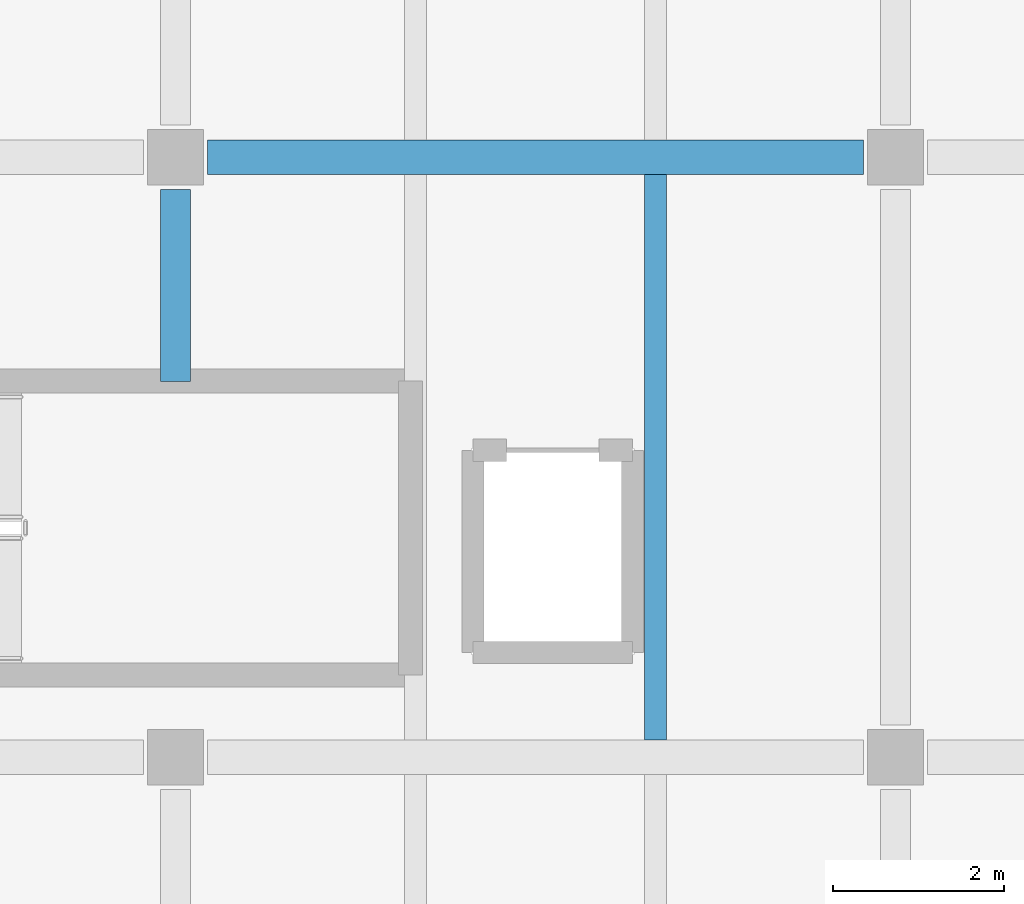
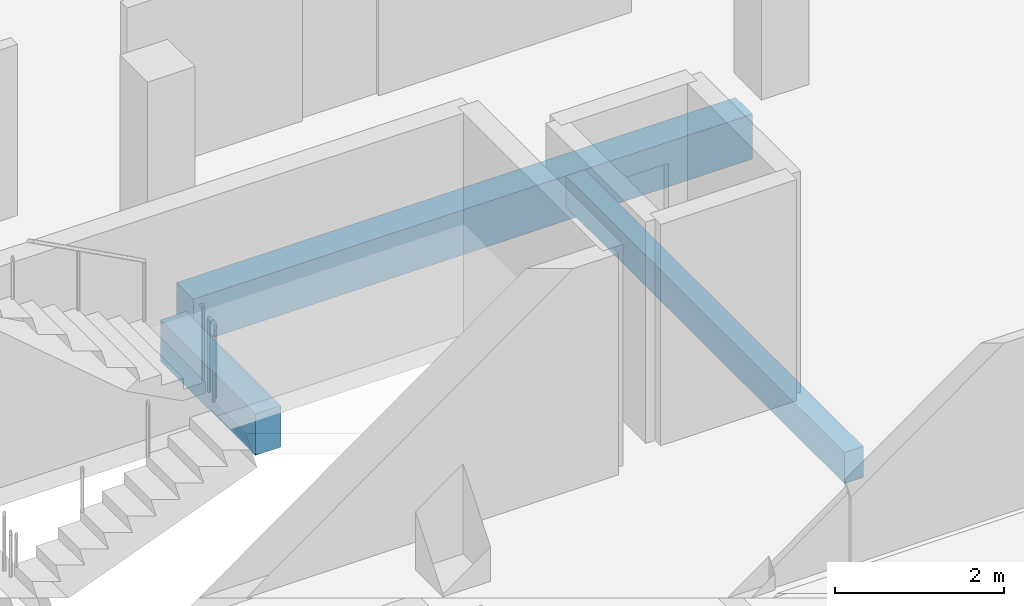
# One storey, part 5 of 33: 3 beams.
"""IFC4 building model written with IfcOpenShell, lengths in metres."""

from ifc_helpers import new_model, si_unit, direction, frame, origin, origin_2d, place, context, subcontext, project, spatial, rectangle, extrude, material, material_profile, profile_set, type_object, element, save


model = new_model("IFC4")

# Units and contexts
model_context = context("Model", 3, precision=1e-05, world=origin(), true_north=direction((0.0, 1.0)))
body_context = subcontext(model_context, "Body", "Model", "MODEL_VIEW")
ifc_project = project(units=[si_unit("LENGTHUNIT", "METRE"), si_unit("AREAUNIT", "SQUARE_METRE"), si_unit("VOLUMEUNIT", "CUBIC_METRE"), si_unit("PLANEANGLEUNIT", "RADIAN"), si_unit("MASSUNIT", "GRAM", prefix="KILO"), si_unit("THERMODYNAMICTEMPERATUREUNIT", "KELVIN"), si_unit("POWERUNIT", "WATT")], contexts=[model_context])

# Site, building, storey
site_placement = place(None, origin())
site = spatial("IfcSite", under=ifc_project, at=site_placement, CompositionType="ELEMENT")
building_placement = place(site_placement, origin())
building = spatial("IfcBuilding", under=site, at=building_placement, Name="Mavoryth Pier Ferry Terminal", CompositionType="ELEMENT")
storey_placement = place(building_placement, frame((0.0, 0.0, 13.1201171875)))
storey = spatial("IfcBuildingStorey", under=building, at=storey_placement, Name="L03", CompositionType="ELEMENT", Elevation=13.1201171875)

# Beams
ifc_material = material(Name="Concrete C35/45", Category="concrete")
ifc_material_profile_1 = material_profile(ifc_material, rectangle(XDim=0.35009765625, YDim=0.60009765625, at=origin_2d()), Name="RC 350x600", Category="concrete")
ifc_profile_set_1 = profile_set([ifc_material_profile_1], Name="Concrete C35/45 - RC 350x600")
beam_type_1 = type_object("IfcBeamType", Name="Girder-RC-350x600", PredefinedType="BEAM", material=ifc_profile_set_1)
beam_1_placement = place(storey_placement, frame((50.39990234375, 11.3798828125, -0.56005859375), z_axis=(0.0, 1.0, 0.0), x_axis=(-1.0, 0.0, 0.0)))
element("IfcBeam", 1, at=beam_1_placement, inside=storey, type_object=beam_type_1, Name="Beam B03-BG08-1261", PredefinedType="BEAM", context=body_context, shape_type="SweptSolid", body=[
    extrude(rectangle(XDim=0.35009765625, YDim=0.60009765625, at=origin_2d()), origin(), (0.0, 0.0, 1.0), 2.2451171875),
])
ifc_material_profile_2 = material_profile(ifc_material, rectangle(XDim=0.39990234375, YDim=0.64990234375, at=origin_2d()), Name="RC 400x650", Category="concrete")
ifc_profile_set_2 = profile_set([ifc_material_profile_2], Name="Concrete C35/45 - RC 400x650")
beam_type_2 = type_object("IfcBeamType", Name="Girder-RC-400x650", PredefinedType="BEAM", material=ifc_profile_set_2)
beam_2_placement = place(storey_placement, frame((50.77490234375, 14.0, -0.585205078125), z_axis=(1.0, 0.0, 0.0), x_axis=(0.0, 1.0, 0.0)))
element("IfcBeam", 2, at=beam_2_placement, inside=storey, type_object=beam_type_2, Name="Beam B03-BG05-1246", PredefinedType="BEAM", context=body_context, shape_type="SweptSolid", body=[
    extrude(rectangle(XDim=0.39990234375, YDim=0.64990234375, at=origin_2d()), origin(), (0.0, 0.0, 1.0), 7.650146484375),
])
ifc_material_profile_3 = material_profile(ifc_material, rectangle(XDim=0.260009765625, YDim=0.449951171875, at=origin_2d()), Name="RC 260x450", Category="concrete")
ifc_profile_set_3 = profile_set([ifc_material_profile_3], Name="Concrete C35/45 - RC 260x450")
beam_type_3 = type_object("IfcBeamType", Name="Joist-RC-260x450", PredefinedType="JOIST", material=ifc_profile_set_3)
beam_3_placement = place(storey_placement, frame((56.0, 7.199951171875, -0.485107421875), z_axis=(0.0, 1.0, 0.0), x_axis=(-1.0, 0.0, 0.0)))
element("IfcBeam", 3, at=beam_3_placement, inside=storey, type_object=beam_type_3, Name="Beam B03-BJ03-1285", PredefinedType="JOIST", context=body_context, shape_type="SweptSolid", body=[
    extrude(rectangle(XDim=0.260009765625, YDim=0.449951171875, at=origin_2d()), origin(), (0.0, 0.0, 1.0), 6.60009765625),
])

save(model, "model.ifc")
